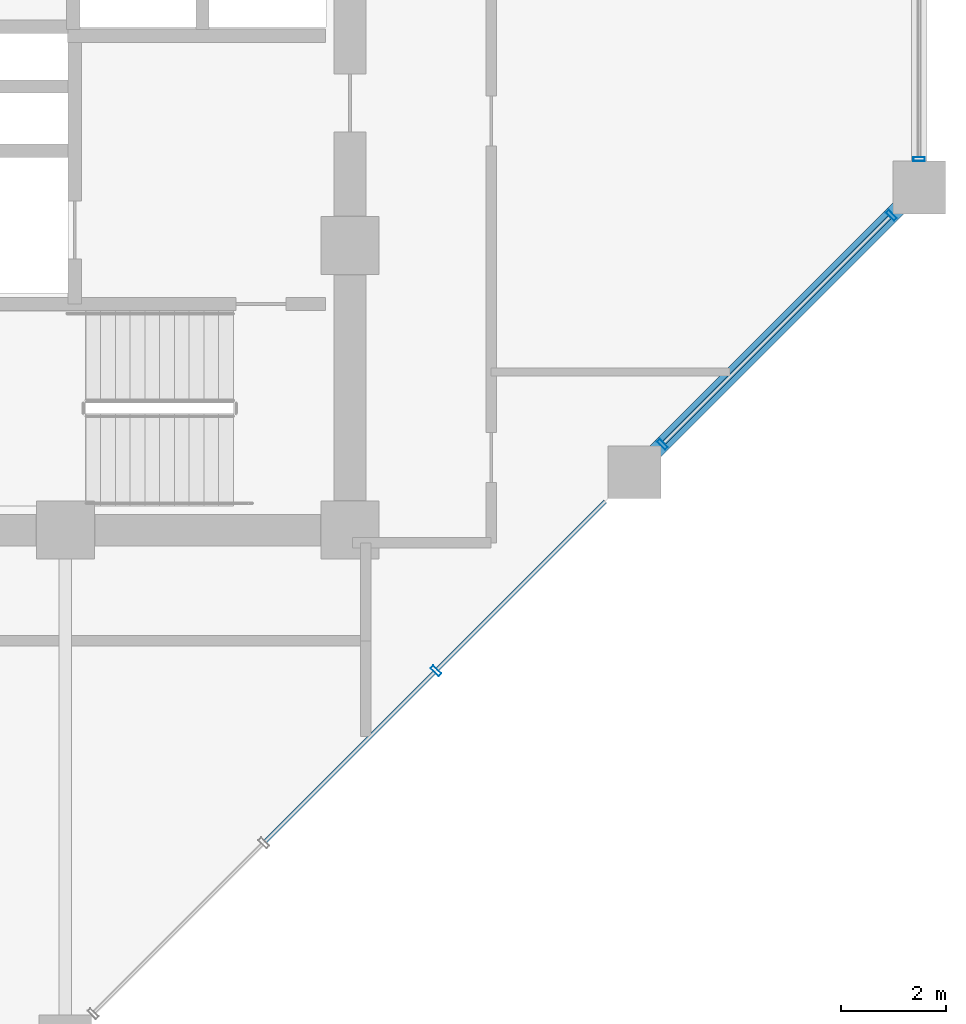
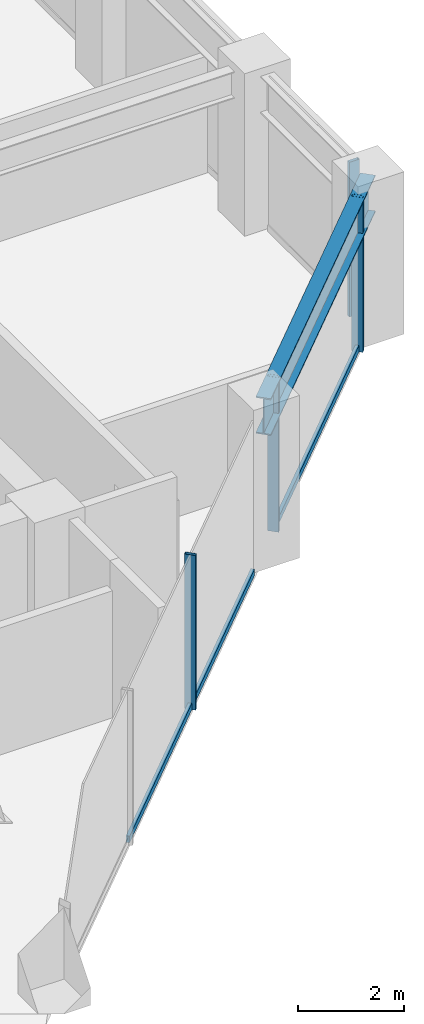
# One storey, part 8 of 23: 7 members, 1 beam, 2 elements without a shape of their own.
"""IFC4 building model written with IfcOpenShell, lengths in metres."""

from ifc_helpers import new_model, si_unit, direction, frame, origin, origin_2d, place, context, subcontext, project, spatial, hollow_rectangle, i_section, extrude, material, layer, layer_set, material_profile, profile_set, type_object, element, aggregate, save


model = new_model("IFC4")

# Units and contexts
model_context = context("Model", 3, precision=1e-05, world=origin(), true_north=direction((0.0, 1.0)))
body_context = subcontext(model_context, "Body", "Model", "MODEL_VIEW")
ifc_project = project(units=[si_unit("LENGTHUNIT", "METRE"), si_unit("AREAUNIT", "SQUARE_METRE"), si_unit("VOLUMEUNIT", "CUBIC_METRE"), si_unit("PLANEANGLEUNIT", "RADIAN"), si_unit("MASSUNIT", "GRAM", prefix="KILO")], contexts=[model_context])

# Site, building, storey
site_placement = place(None, origin())
site = spatial("IfcSite", under=ifc_project, at=site_placement, CompositionType="ELEMENT")
building_placement = place(site_placement, origin())
building = spatial("IfcBuilding", under=site, at=building_placement, Name="Surkhivell Harbour Commons", CompositionType="ELEMENT")
storey_placement = place(building_placement, frame((0.0, 0.0, 132.0)))
storey = spatial("IfcBuildingStorey", under=building, at=storey_placement, Name="L34", CompositionType="ELEMENT", Elevation=132.0)

# Beam
ifc_material_1 = material(Name="Steel S460", Category="steel")
ifc_material_profile_1 = material_profile(ifc_material_1, i_section(OverallWidth=0.2939453125, OverallDepth=0.85107421875, WebThickness=0.01611328125, FlangeThickness=0.02685546875, at=origin_2d()), Name="UB838x292x226")
ifc_profile_set_1 = profile_set([ifc_material_profile_1], Name="Steel S460")
beam_type = type_object("IfcBeamType", Name="BM-SPN-838", PredefinedType="SPANDREL", material=ifc_profile_set_1)
beam_placement = place(storey_placement, frame((16.199951171875, -9.699951171875, 3.14453125), z_axis=(0.707122765516, 0.707090796496, 0.0), x_axis=(-0.707090796496, 0.707122765516, 0.0)))
element("IfcBeam", 1, at=beam_placement, inside=storey, type_object=beam_type, Name="L34 Tube Spandrel (16.2,-9.7)", PredefinedType="SPANDREL", context=body_context, shape_type="SweptSolid", body=[
    extrude(i_section(OverallWidth=0.2939453125, OverallDepth=0.85107421875, WebThickness=0.01611328125, FlangeThickness=0.02685546875, at=origin_2d()), origin(), (0.0, 0.0, 1.0), 7.63671875),
])

# Curtain wall, members
ifc_material_2 = material(Name="Anodised pale-metal aluminium and insulated glazing", Category="aluminium")
ifc_layer = layer(ifc_material_2, 0.205078125)
ifc_layer_set = layer_set([ifc_layer], Name="Anodised pale-metal aluminium and insulated glazing")
curtain_wall_type = type_object("IfcCurtainWallType", Name="CW-SYS-Z2", PredefinedType="NOTDEFINED", material=ifc_layer_set)
curtain_wall_1_placement = place(storey_placement, origin())
curtain_wall_1 = element("IfcCurtainWall", 2, at=curtain_wall_1_placement, inside=storey, type_object=curtain_wall_type, Name="L34 Curtain Wall CW-L34-E01", PredefinedType="NOTDEFINED")
ifc_material_3 = material(Name="Anodised pale-metal aluminium alloy 6063-T6", Category="aluminium")
ifc_material_profile_2 = material_profile(ifc_material_3, hollow_rectangle(XDim=0.074951171875, YDim=0.219970703125, WallThickness=0.00390625, at=origin_2d()), Name="ALU-MULL-75x220")
ifc_profile_set_2 = profile_set([ifc_material_profile_2], Name="Anodised pale-metal aluminium alloy 6063-T6")
member_type_1 = type_object("IfcMemberType", Name="CWM-220", PredefinedType="MULLION", material=ifc_profile_set_2)
member_1_placement = place(storey_placement, frame((12.432861328125, -13.46728515625, 0.0), z_axis=(0.0, 0.0, 1.0), x_axis=(0.707106781187, 0.707106781187, 0.0)))
member_1 = element("IfcMember", 3, at=member_1_placement, type_object=member_type_1, Name="CW-Z2 mullion 4", PredefinedType="MULLION", context=body_context, shape_type="SweptSolid", body=[
    extrude(hollow_rectangle(XDim=0.074951171875, YDim=0.219970703125, WallThickness=0.00390625, at=origin_2d()), origin(), (0.0, 0.0, 1.0), 3.570068359375),
])
member_2_placement = place(storey_placement, frame((16.728271484375, -9.171875, 0.0), z_axis=(0.0, 0.0, 1.0), x_axis=(0.707106781187, 0.707106781187, 0.0)))
member_2 = element("IfcMember", 4, at=member_2_placement, type_object=member_type_1, Name="CW-Z2 mullion 5", PredefinedType="MULLION", context=body_context, shape_type="SweptSolid", body=[
    extrude(hollow_rectangle(XDim=0.074951171875, YDim=0.219970703125, WallThickness=0.00390625, at=origin_2d()), origin(), (0.0, 0.0, 1.0), 3.570068359375),
])
member_3_placement = place(storey_placement, frame((21.07177734375, -4.828125, 0.0), z_axis=(0.0, 0.0, 1.0), x_axis=(0.707106781187, 0.707106781187, 0.0)))
member_3 = element("IfcMember", 5, at=member_3_placement, type_object=member_type_1, Name="CW-Z2 mullion 6", PredefinedType="MULLION", context=body_context, shape_type="SweptSolid", body=[
    extrude(hollow_rectangle(XDim=0.074951171875, YDim=0.219970703125, WallThickness=0.00390625, at=origin_2d()), origin(), (0.0, 0.0, 1.0), 3.570068359375),
])

# Curtain wall, member
curtain_wall_2_placement = place(storey_placement, origin())
curtain_wall_2 = element("IfcCurtainWall", 6, at=curtain_wall_2_placement, inside=storey, type_object=curtain_wall_type, Name="L34 Curtain Wall CW-L34-E02", PredefinedType="NOTDEFINED")
member_4_placement = place(storey_placement, frame((21.60009765625, -3.760498046875, 0.0), z_axis=(0.0, 0.0, 1.0), x_axis=(0.0, 1.0, 0.0)))
member_4 = element("IfcMember", 7, at=member_4_placement, type_object=member_type_1, Name="CW-Z2 mullion 1", PredefinedType="MULLION", context=body_context, shape_type="SweptSolid", body=[
    extrude(hollow_rectangle(XDim=0.074951171875, YDim=0.219970703125, WallThickness=0.00390625, at=origin_2d()), origin(), (0.0, 0.0, 1.0), 3.570068359375),
])
aggregate(curtain_wall_2, [member_4])

# Member
ifc_material_profile_3 = material_profile(ifc_material_3, hollow_rectangle(XDim=0.074951171875, YDim=0.14990234375, WallThickness=0.00341796875, at=origin_2d()), Name="ALU-TRAN-75x150")
ifc_profile_set_3 = profile_set([ifc_material_profile_3], Name="Anodised pale-metal aluminium alloy 6063-T6")
member_type_2 = type_object("IfcMemberType", Name="CWT-150", PredefinedType="USERDEFINED", material=ifc_profile_set_3)
member_5_placement = place(storey_placement, frame((9.19384765625, -16.706298828125, 0.074951171875), z_axis=(0.707079911854, 0.707133649498, 0.0), x_axis=(-0.707133649498, 0.707079911854, 0.0)))
member_5 = element("IfcMember", 8, at=member_5_placement, type_object=member_type_2, Name="CW-Z2 transom 3.1", ObjectType="TRANSOM", PredefinedType="USERDEFINED", context=body_context, shape_type="SweptSolid", body=[
    extrude(hollow_rectangle(XDim=0.074951171875, YDim=0.14990234375, WallThickness=0.00341796875, at=origin_2d()), origin(), (0.0, 0.0, 1.0), 4.543212890625),
])

member_6_placement = place(storey_placement, frame((12.459228515625, -13.440673828125, 0.074951171875), z_axis=(0.707106781187, 0.707106781187, 0.0), x_axis=(-0.707106781187, 0.707106781187, 0.0)))
member_6 = element("IfcMember", 9, at=member_6_placement, type_object=member_type_2, Name="CW-Z2 transom 4.1", ObjectType="TRANSOM", PredefinedType="USERDEFINED", context=body_context, shape_type="SweptSolid", body=[
    extrude(hollow_rectangle(XDim=0.074951171875, YDim=0.14990234375, WallThickness=0.00341796875, at=origin_2d()), origin(), (0.0, 0.0, 1.0), 4.505615234375),
])

member_7_placement = place(storey_placement, frame((16.754638671875, -9.145263671875, 0.074951171875), z_axis=(0.707106781187, 0.707106781187, 0.0), x_axis=(-0.707106781187, 0.707106781187, 0.0)))
member_7 = element("IfcMember", 10, at=member_7_placement, type_object=member_type_2, Name="CW-Z2 transom 5.1", ObjectType="TRANSOM", PredefinedType="USERDEFINED", context=body_context, shape_type="SweptSolid", body=[
    extrude(hollow_rectangle(XDim=0.074951171875, YDim=0.14990234375, WallThickness=0.00341796875, at=origin_2d()), origin(), (0.0, 0.0, 1.0), 6.067626953125),
])

aggregate(curtain_wall_1, [member_1, member_5, member_6, member_2, member_3, member_7])

save(model, "model.ifc")
